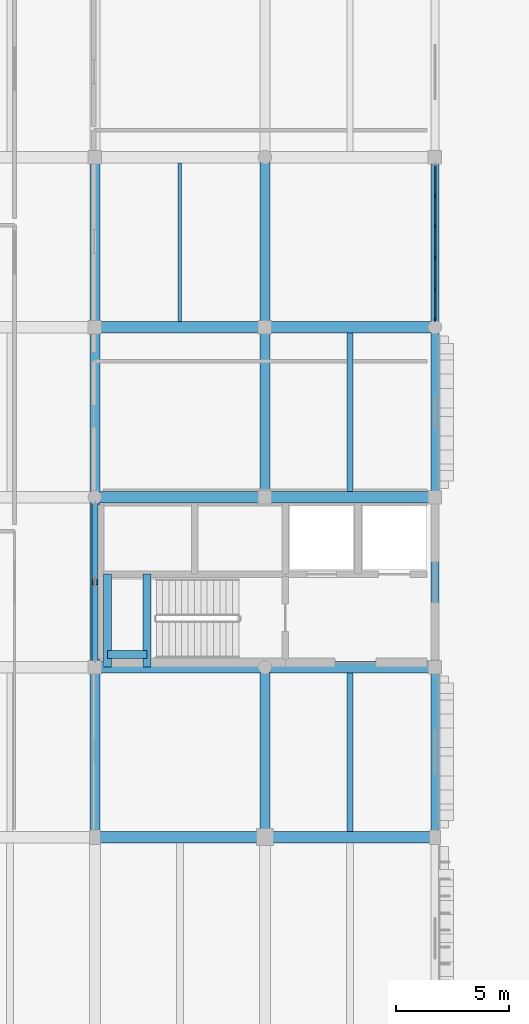
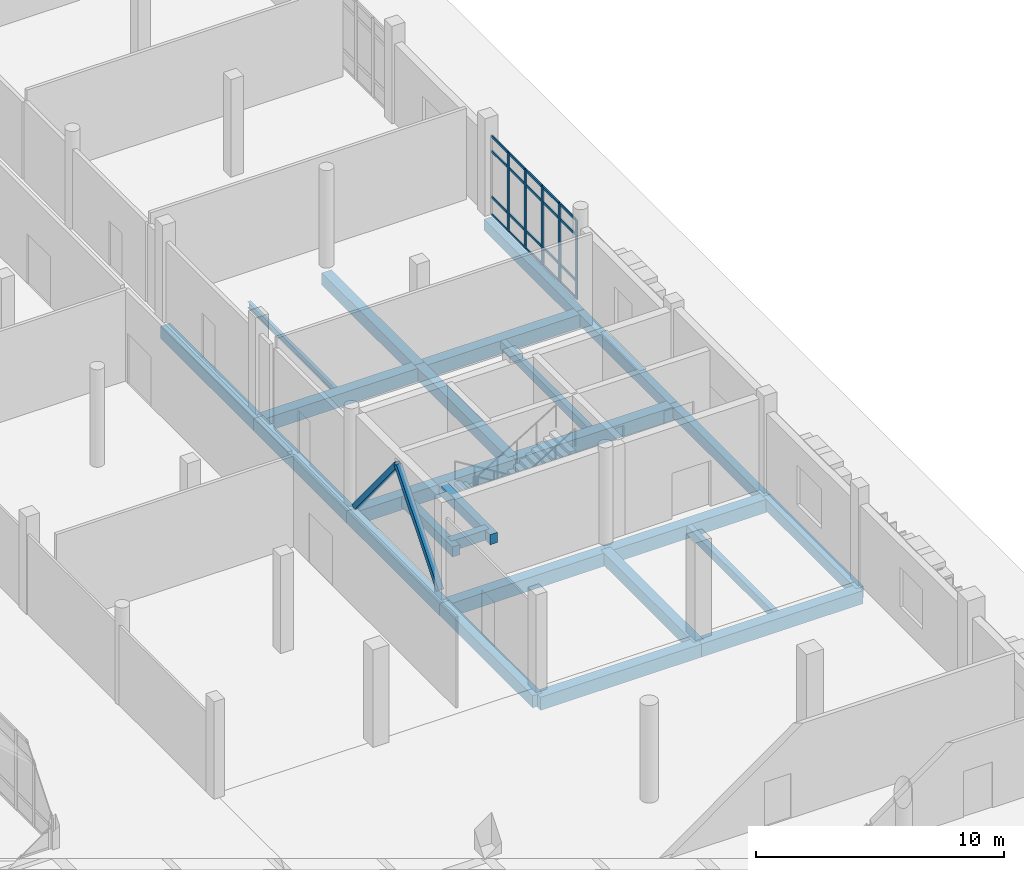
# One storey, part 60 of 125: 27 members, 25 beams, 1 element without a shape of its own.
"""IFC4 building model written with IfcOpenShell, lengths in metres."""

import ifcopenshell
import ifcopenshell.guid

model = None  # the IFC model being written
_history = None  # IfcOwnerHistory: only IFC2X3 demands one
_inside = {}  # id of a spatial element -> (the spatial element, [elements in it])
_under = {}  # id of a project, library or spatial element -> (it, [spatial elements below it])
_declared = {}  # id of a project -> (the project, [libraries it declares])
_typed = {}  # id of a type object -> (the type object, [elements of that type])
_made_of = {}  # id of a material, layer set ... -> (it, [elements and type objects made of it])


def new_model(schema):
    """Start an empty IFC model of exactly this schema.

    Asked for "IFC4X3", IfcOpenShell would pick the latest addendum, in which some entities
    have other attributes; the version numbers below select the first issue.
    IFC2X3 requires an IfcOwnerHistory on every rooted entity: one is made here for all.
    """
    global model, _history
    if schema == "IFC4X3":
        model = ifcopenshell.file(schema_version=(4, 3, 0, 0))
    else:
        model = ifcopenshell.file(schema=schema)
    _inside.clear()
    _under.clear()
    _declared.clear()
    _typed.clear()
    _made_of.clear()
    _history = None
    if model.schema == "IFC2X3":
        org = make("IfcOrganization", Name="unknown")
        user = make(
            "IfcPersonAndOrganization",
            ThePerson=make("IfcPerson", FamilyName="unknown"),
            TheOrganization=org,
        )
        app = make(
            "IfcApplication",
            ApplicationDeveloper=org,
            Version="unknown",
            ApplicationFullName="unknown",
            ApplicationIdentifier="unknown",
        )
        _history = make(
            "IfcOwnerHistory",
            OwningUser=user,
            OwningApplication=app,
            ChangeAction="ADDED",
            CreationDate=0,
        )
    return model


def make(cls, **values):
    """One entity of the class cls with the attributes given. An attribute that is None is left unset."""
    return model.create_entity(
        cls, **{name: value for name, value in values.items() if value is not None}
    )


def rooted(cls, **values):
    """An entity with a GlobalId (a new one), such as an element, a storey or a relation."""
    return make(cls, GlobalId=ifcopenshell.guid.new(), OwnerHistory=_history, **values)


def si_unit(unit_type, name, prefix=None):
    """IfcSIUnit, for example si_unit("LENGTHUNIT", "METRE", prefix="MILLI")."""
    return make("IfcSIUnit", UnitType=unit_type, Prefix=prefix, Name=name)


def assignment(units):
    """IfcUnitAssignment: the units of a project."""
    return None if units is None else make("IfcUnitAssignment", Units=units)


def point(xyz):
    """IfcCartesianPoint."""
    return None if xyz is None else make("IfcCartesianPoint", Coordinates=xyz)


def direction(xyz):
    """IfcDirection."""
    return None if xyz is None else make("IfcDirection", DirectionRatios=xyz)


def frame(location, z_axis=None, x_axis=None):
    """IfcAxis2Placement3D, a coordinate frame: its origin and axes. An axis left out is left unset."""
    return make(
        "IfcAxis2Placement3D",
        Location=point(location),
        Axis=direction(z_axis),
        RefDirection=direction(x_axis),
    )


def frame_2d(location, x_axis=None):
    """IfcAxis2Placement2D, a coordinate frame in the plane: its origin and x axis."""
    return make(
        "IfcAxis2Placement2D", Location=point(location), RefDirection=direction(x_axis)
    )


def origin():
    """The frame at (0, 0, 0) with its axes left unset."""
    return frame((0.0, 0.0, 0.0))


def origin_2d():
    """The frame at (0, 0) in the plane with its x axis left unset."""
    return frame_2d((0.0, 0.0))


def place(relative_to, where):
    """IfcLocalPlacement: puts the frame where relative to a parent placement (None: the world)."""
    return make(
        "IfcLocalPlacement", PlacementRelTo=relative_to, RelativePlacement=where
    )


def context(
    kind, dimensions, precision=None, world=None, true_north=None, identifier=None
):
    """IfcGeometricRepresentationContext, for example the 3D "Model" context."""
    return make(
        "IfcGeometricRepresentationContext",
        ContextIdentifier=identifier,
        ContextType=kind,
        CoordinateSpaceDimension=dimensions,
        Precision=precision,
        WorldCoordinateSystem=world,
        TrueNorth=true_north,
    )


def subcontext(parent, identifier, kind, view, scale=None):
    """IfcGeometricRepresentationSubContext, for example "Body" below "Model"."""
    return make(
        "IfcGeometricRepresentationSubContext",
        ContextIdentifier=identifier,
        ContextType=kind,
        ParentContext=parent,
        TargetScale=scale,
        TargetView=view,
    )


def project(units=None, contexts=None):
    """IfcProject with its units and contexts."""
    return rooted(
        "IfcProject",
        Name="project",
        RepresentationContexts=contexts,
        UnitsInContext=assignment(units),
    )


def spatial(cls, under=None, at=None, **own):
    """A site, building, storey or space (cls), placed at a placement, below another one or the project."""
    s = rooted(cls, ObjectPlacement=at, **own)
    if under is not None:
        _under.setdefault(under.id(), (under, []))[1].append(s)
    return s


def profile(cls, at=None, kind="AREA", **sizes):
    """A parametric profile (cls). Its sizes go by their IFC names, for example OverallWidth=200.0."""
    return make(cls, ProfileType=kind, Position=at, **sizes)


def rectangle(**sizes):
    """IfcRectangleProfileDef."""
    return profile("IfcRectangleProfileDef", **sizes)


def hollow_rectangle(**sizes):
    """IfcRectangleHollowProfileDef."""
    return profile("IfcRectangleHollowProfileDef", **sizes)


def i_section(**sizes):
    """IfcIShapeProfileDef."""
    return profile("IfcIShapeProfileDef", **sizes)


def extrude(swept, where, along, depth):
    """IfcExtrudedAreaSolid: the profile swept, set in the frame where, extruded along a direction by depth."""
    return make(
        "IfcExtrudedAreaSolid",
        SweptArea=swept,
        Position=where,
        ExtrudedDirection=direction(along),
        Depth=depth,
    )


def shape(context_of_items, identifier, shape_type, items):
    """IfcShapeRepresentation: the items that make up one representation, for example the "Body"."""
    return make(
        "IfcShapeRepresentation",
        ContextOfItems=context_of_items,
        RepresentationIdentifier=identifier,
        RepresentationType=shape_type,
        Items=items,
    )


def material(Name=None, Category=None):
    """IfcMaterial."""
    return make("IfcMaterial", Name=Name, Category=Category)


def layer(
    of_material, thickness, ventilated=None, Name=None, Category=None, Priority=None
):
    """IfcMaterialLayer: one layer of a wall or slab, of a material (None: an air gap)."""
    return make(
        "IfcMaterialLayer",
        Material=of_material,
        LayerThickness=thickness,
        IsVentilated=ventilated,
        Name=Name,
        Category=Category,
        Priority=Priority,
    )


def layer_set(layers, Name=None):
    """IfcMaterialLayerSet."""
    return make("IfcMaterialLayerSet", MaterialLayers=layers, LayerSetName=Name)


def material_profile(
    of_material, cross_section, Name=None, Category=None, Priority=None
):
    """IfcMaterialProfile: a cross section and its material."""
    return make(
        "IfcMaterialProfile",
        Name=Name,
        Material=of_material,
        Profile=cross_section,
        Priority=Priority,
        Category=Category,
    )


def profile_set(profiles, Name=None, composite=None):
    """IfcMaterialProfileSet."""
    return make(
        "IfcMaterialProfileSet",
        Name=Name,
        MaterialProfiles=profiles,
        CompositeProfile=composite,
    )


def made_of(thing, what):
    """Note that an element or type object is made of a material, layer set ...; save() writes the relation."""
    if what is not None:
        _made_of.setdefault(what.id(), (what, []))[1].append(thing)
    return thing


def type_object(cls, material=None, **own):
    """A type object (cls), such as IfcWallType, which elements share."""
    return made_of(rooted(cls, **own), material)


def element(
    cls,
    number,
    at=None,
    inside=None,
    cuts=None,
    type_object=None,
    material=None,
    context=None,
    identifier="Body",
    shape_type=None,
    held_by="IfcProductDefinitionShape",
    body=None,
    shapes=None,
    **own,
):
    """One element of the class cls, such as IfcWall. Its Tag is "e" and its number.

    at: its placement. inside: the storey or other place that contains it. cuts: it is an
    opening in that element (IfcRelVoidsElement). A single representation is given by context,
    identifier, shape_type and body (its items); several are given by shapes. held_by: the class
    of the entity that holds the representations. save() writes the other relations.
    """
    e = rooted(cls, Tag="e%d" % number, ObjectPlacement=at, **own)
    if body is not None:
        shapes = [shape(context, identifier, shape_type, body)]
    if shapes is not None:
        e.Representation = make(held_by, Representations=shapes)
    if inside is not None:
        _inside.setdefault(inside.id(), (inside, []))[1].append(e)
    if cuts is not None:
        rooted(
            "IfcRelVoidsElement", RelatingBuildingElement=cuts, RelatedOpeningElement=e
        )
    if type_object is not None:
        _typed.setdefault(type_object.id(), (type_object, []))[1].append(e)
    return made_of(e, material)


def aggregate(whole, parts):
    """IfcRelAggregates: a whole, such as a stair, and the parts it consists of."""
    return rooted("IfcRelAggregates", RelatingObject=whole, RelatedObjects=parts)


def save(model, path):
    """Write the relations noted so far, then the file.

    IfcRelAggregates (storeys below a building ...), IfcRelContainedInSpatialStructure (elements
    in a storey), IfcRelDefinesByType, IfcRelAssociatesMaterial and IfcRelDeclares: one each for
    every whole, place, type object, material and project.
    """
    for whole, parts in _under.values():
        aggregate(whole, parts)
    for where, things in _inside.values():
        rooted(
            "IfcRelContainedInSpatialStructure",
            RelatedElements=things,
            RelatingStructure=where,
        )
    for kind, things in _typed.values():
        rooted("IfcRelDefinesByType", RelatedObjects=things, RelatingType=kind)
    for what, things in _made_of.values():
        rooted("IfcRelAssociatesMaterial", RelatedObjects=things, RelatingMaterial=what)
    for by, libraries in _declared.values():
        rooted("IfcRelDeclares", RelatingContext=by, RelatedDefinitions=libraries)
    model.write(path)


model = new_model("IFC4")

# Units and contexts
model_context = context("Model", 3, precision=1e-05, world=origin(), true_north=direction((0.0, 1.0)))
body_context = subcontext(model_context, "Body", "Model", "MODEL_VIEW")
ifc_project = project(units=[si_unit("LENGTHUNIT", "METRE"), si_unit("AREAUNIT", "SQUARE_METRE"), si_unit("VOLUMEUNIT", "CUBIC_METRE"), si_unit("PLANEANGLEUNIT", "RADIAN"), si_unit("MASSUNIT", "GRAM", prefix="KILO")], contexts=[model_context])

# Site, building, storey
site_placement = place(None, origin())
site = spatial("IfcSite", under=ifc_project, at=site_placement, CompositionType="ELEMENT")
building_placement = place(site_placement, origin())
building = spatial("IfcBuilding", under=site, at=building_placement, Name="Dalvernix Boulevard General Hospital", CompositionType="ELEMENT")
storey_placement = place(building_placement, origin())
storey = spatial("IfcBuildingStorey", under=building, at=storey_placement, Name="L00", CompositionType="ELEMENT", Elevation=0.0)

# Beams
ifc_material_1 = material(Name="Concrete C35/45", Category="concrete")
ifc_material_profile_1 = material_profile(ifc_material_1, rectangle(XDim=0.5, YDim=0.64990234375, at=origin_2d()), Name="RCB 500x650")
ifc_profile_set_1 = profile_set([ifc_material_profile_1], Name="Concrete C35/45")
beam_type_1 = type_object("IfcBeamType", Name="BM-B-02-I", PredefinedType="BEAM", material=ifc_profile_set_1)
for number, where, z_axis, x_axis, name in (
    (1, (157.5, 31.5, -0.68505859375), (1.0, 0.0, 0.0), (0.0, 1.0, 0.0), "L00 E-W girder E:22-23"),
    (2, (165.0, 31.5, -0.68505859375), (1.0, 0.0, 0.0), (0.0, 1.0, 0.0), "L00 E-W girder E:23-24"),
    (3, (157.5, 39.0, -0.68505859375), (1.0, 0.0, 0.0), (0.0, 1.0, 0.0), "L00 E-W girder F:22-23"),
    (4, (165.0, 39.0, -0.68505859375), (1.0, 0.0, 0.0), (0.0, 1.0, 0.0), "L00 E-W girder F:23-24"),
    (5, (157.5, 46.5, -0.68505859375), (1.0, 0.0, 0.0), (0.0, 1.0, 0.0), "L00 E-W girder G:22-23"),
    (6, (165.0, 46.5, -0.68505859375), (1.0, 0.0, 0.0), (0.0, 1.0, 0.0), "L00 E-W girder G:23-24"),
    (7, (157.5, 54.0, -0.68505859375), (1.0, 0.0, 0.0), (0.0, 1.0, 0.0), "L00 E-W girder H:22-23"),
    (8, (165.0, 54.0, -0.68505859375), (1.0, 0.0, 0.0), (0.0, 1.0, 0.0), "L00 E-W girder H:23-24"),
):
    element("IfcBeam", number, at=place(storey_placement, frame(where, z_axis=z_axis, x_axis=x_axis)), inside=storey, type_object=beam_type_1, Name=name, PredefinedType="BEAM", context=body_context, shape_type="SweptSolid", body=[
        extrude(rectangle(XDim=0.5, YDim=0.64990234375, at=origin_2d()), origin(), (0.0, 0.0, 1.0), 7.5),
    ])
ifc_material_profile_2 = material_profile(ifc_material_1, rectangle(XDim=0.449951171875, YDim=0.60009765625, at=origin_2d()), Name="RCB 450x600")
ifc_profile_set_2 = profile_set([ifc_material_profile_2], Name="Concrete C35/45")
beam_type_2 = type_object("IfcBeamType", Name="BM-B-04-I", PredefinedType="BEAM", material=ifc_profile_set_2)
for number, where, z_axis, x_axis, name in (
    (9, (157.5, 31.5, -0.659912109375), (0.0, 1.0, 0.0), (-1.0, 0.0, 0.0), "L00 N-S girder 22:E-F"),
    (10, (157.5, 39.0, -0.659912109375), (0.0, 1.0, 0.0), (-1.0, 0.0, 0.0), "L00 N-S girder 22:F-G"),
    (11, (157.5, 46.5, -0.659912109375), (0.0, 1.0, 0.0), (-1.0, 0.0, 0.0), "L00 N-S girder 22:G-H"),
    (12, (157.5, 54.0, -0.659912109375), (0.0, 1.0, 0.0), (-1.0, 0.0, 0.0), "L00 N-S girder 22:H-J"),
    (13, (165.0, 31.5, -0.659912109375), (0.0, 1.0, 0.0), (-1.0, 0.0, 0.0), "L00 N-S girder 23:E-F"),
    (14, (165.0, 46.5, -0.659912109375), (0.0, 1.0, 0.0), (-1.0, 0.0, 0.0), "L00 N-S girder 23:G-H"),
    (15, (165.0, 54.0, -0.659912109375), (0.0, 1.0, 0.0), (-1.0, 0.0, 0.0), "L00 N-S girder 23:H-J"),
):
    element("IfcBeam", number, at=place(storey_placement, frame(where, z_axis=z_axis, x_axis=x_axis)), inside=storey, type_object=beam_type_2, Name=name, PredefinedType="BEAM", context=body_context, shape_type="SweptSolid", body=[
        extrude(rectangle(XDim=0.449951171875, YDim=0.60009765625, at=origin_2d()), origin(), (0.0, 0.0, 1.0), 7.5),
    ])
ifc_material_profile_3 = material_profile(ifc_material_1, rectangle(XDim=0.35009765625, YDim=0.5, at=origin_2d()), Name="RCB 350x500")
ifc_profile_set_3 = profile_set([ifc_material_profile_3], Name="Concrete C35/45")
beam_type_3 = type_object("IfcBeamType", Name="BM-B-08", PredefinedType="BEAM", material=ifc_profile_set_3)
for number, where, z_axis, x_axis, name in (
    (16, (158.050048828125, 39.0, 1.949951171875), (0.0, 1.0, 0.0), (-1.0, 0.0, 0.0), "L00 C6 stair half-landing beam 1"),
    (17, (159.800048828125, 39.0, 1.949951171875), (0.0, 1.0, 0.0), (-1.0, 0.0, 0.0), "L00 C6 stair half-landing beam 2"),
):
    element("IfcBeam", number, at=place(storey_placement, frame(where, z_axis=z_axis, x_axis=x_axis)), inside=storey, type_object=beam_type_3, Name=name, PredefinedType="BEAM", context=body_context, shape_type="SweptSolid", body=[
        extrude(rectangle(XDim=0.35009765625, YDim=0.5, at=origin_2d()), origin(), (0.0, 0.0, 1.0), 4.10009765625),
    ])
beam_1_placement = place(storey_placement, frame((158.050048828125, 39.550048828125, 1.949951171875), z_axis=(1.0, 0.0, 0.0), x_axis=(0.0, 1.0, 0.0)))
element("IfcBeam", 18, at=beam_1_placement, inside=storey, type_object=beam_type_3, Name="L00 C6 stair half-landing tie beam", PredefinedType="BEAM", context=body_context, shape_type="SweptSolid", body=[
    extrude(rectangle(XDim=0.35009765625, YDim=0.5, at=origin_2d()), origin(), (0.0, 0.0, 1.0), 1.75),
])
ifc_material_profile_4 = material_profile(ifc_material_1, rectangle(XDim=0.25, YDim=0.39990234375, at=origin_2d()), Name="RCB 250x400")
ifc_profile_set_4 = profile_set([ifc_material_profile_4], Name="Concrete C35/45")
beam_type_4 = type_object("IfcBeamType", Name="BM-JB-02", PredefinedType="JOIST", material=ifc_profile_set_4)
for number, where, z_axis, x_axis, name in (
    (19, (168.75, 31.75, -0.56005859375), (0.0, 1.0, 0.0), (-1.0, 0.0, 0.0), "L00 secondary floor beam 23-E"),
    (20, (168.75, 46.75, -0.56005859375), (0.0, 1.0, 0.0), (-1.0, 0.0, 0.0), "L00 secondary floor beam 23-G"),
):
    element("IfcBeam", number, at=place(storey_placement, frame(where, z_axis=z_axis, x_axis=x_axis)), inside=storey, type_object=beam_type_4, Name=name, PredefinedType="JOIST", context=body_context, shape_type="SweptSolid", body=[
        extrude(rectangle(XDim=0.25, YDim=0.39990234375, at=origin_2d()), origin(), (0.0, 0.0, 1.0), 7.0),
    ])
ifc_material_2 = material(Name="Steel S355", Category="steel")
ifc_material_profile_5 = material_profile(ifc_material_2, i_section(OverallWidth=0.14990234375, OverallDepth=0.300048828125, WebThickness=0.007080078125, FlangeThickness=0.0107421875, FilletRadius=0.014892578125, at=origin_2d()), Name="IPE 300")
ifc_profile_set_5 = profile_set([ifc_material_profile_5], Name="Steel S355")
beam_type_5 = type_object("IfcBeamType", Name="BM-JB-03", PredefinedType="JOIST", material=ifc_profile_set_5)
beam_2_placement = place(storey_placement, frame((161.25, 54.25, -0.510009765625), z_axis=(0.0, 1.0, 0.0), x_axis=(-1.0, 0.0, 0.0)))
element("IfcBeam", 21, at=beam_2_placement, inside=storey, type_object=beam_type_5, Name="L00 secondary floor beam 22-H", PredefinedType="JOIST", context=body_context, shape_type="SweptSolid", body=[
    extrude(i_section(OverallWidth=0.14990234375, OverallDepth=0.300048828125, WebThickness=0.007080078125, FlangeThickness=0.0107421875, FilletRadius=0.014892578125, at=origin_2d()), origin(), (0.0, 0.0, 1.0), 7.0),
])
ifc_material_profile_6 = material_profile(ifc_material_1, rectangle(XDim=0.35009765625, YDim=0.550048828125, at=origin_2d()), Name="RCB 350x550")
ifc_profile_set_6 = profile_set([ifc_material_profile_6], Name="Concrete C35/45")
beam_type_6 = type_object("IfcBeamType", Name="BM-SB-01-E", PredefinedType="SPANDREL", material=ifc_profile_set_6)
for number, where, z_axis, x_axis, name in (
    (22, (172.5, 31.5, -0.635009765625), (0.0, 1.0, 0.0), (-1.0, 0.0, 0.0), "L00 N-S girder 24:E-F"),
    (23, (172.5, 39.0, -0.635009765625), (0.0, 1.0, 0.0), (-1.0, 0.0, 0.0), "L00 N-S girder 24:F-G"),
    (24, (172.5, 46.5, -0.635009765625), (0.0, 1.0, 0.0), (-1.0, 0.0, 0.0), "L00 N-S girder 24:G-H"),
    (25, (172.5, 54.0, -0.635009765625), (0.0, 1.0, 0.0), (-1.0, 0.0, 0.0), "L00 N-S girder 24:H-J"),
):
    element("IfcBeam", number, at=place(storey_placement, frame(where, z_axis=z_axis, x_axis=x_axis)), inside=storey, type_object=beam_type_6, Name=name, PredefinedType="SPANDREL", context=body_context, shape_type="SweptSolid", body=[
        extrude(rectangle(XDim=0.35009765625, YDim=0.550048828125, at=origin_2d()), origin(), (0.0, 0.0, 1.0), 7.5),
    ])

# Members
ifc_material_profile_7 = material_profile(ifc_material_2, hollow_rectangle(XDim=0.25, YDim=0.25, WallThickness=0.012451171875, at=origin_2d()), Name="SHS 250x250x12.5")
ifc_profile_set_7 = profile_set([ifc_material_profile_7], Name="Steel S355")
member_type_1 = type_object("IfcMemberType", Name="MEM-BR-03", PredefinedType="BRACE", material=ifc_profile_set_7)
for number, where, z_axis, x_axis, name in (
    (26, (157.5, 39.35009765625, 0.0), (0.0, 0.63374319852, 0.773543507716), (-1.0, 0.0, 0.0), "L00 braced frame chevron 3A"),
    (27, (157.5, 46.14990234375, 0.0), (0.0, -0.63374319852, 0.773543507716), (1.0, 0.0, 0.0), "L00 braced frame chevron 3B"),
):
    element("IfcMember", number, at=place(storey_placement, frame(where, z_axis=z_axis, x_axis=x_axis)), inside=storey, type_object=member_type_1, Name=name, PredefinedType="BRACE", context=body_context, shape_type="SweptSolid", body=[
        extrude(hollow_rectangle(XDim=0.25, YDim=0.25, WallThickness=0.012451171875, at=origin_2d()), origin(), (0.0, 0.0, 1.0), 5.36474609375),
    ])

# Curtain wall, members
ifc_material_3 = material(Name="Thermally broken aluminium and solar-control glass curtain wall", Category="aluminium")
ifc_layer = layer(ifc_material_3, 0.159912109375)
ifc_layer_set = layer_set([ifc_layer], Name="Thermally broken aluminium and solar-control glass curtain wall (CW-CW-A-69x39)")
curtain_wall_type = type_object("IfcCurtainWallType", Name="CW-CW-A-69x39", PredefinedType="USERDEFINED", material=ifc_layer_set)
curtain_wall_placement = place(storey_placement, origin())
curtain_wall = element("IfcCurtainWall", 28, at=curtain_wall_placement, inside=storey, type_object=curtain_wall_type, Name="L00 curtain wall CW-A-69x39 23-7", ObjectType="GLAZED FACADE", PredefinedType="USERDEFINED")
ifc_material_4 = material(Name="Aluminium EN AW-6060", Category="aluminium")
ifc_material_profile_8 = material_profile(ifc_material_4, rectangle(XDim=0.06005859375, YDim=0.159912109375, at=origin_2d()), Name="ALU MULL 60x160")
ifc_profile_set_8 = profile_set([ifc_material_profile_8], Name="Aluminium EN AW-6060")
member_type_2 = type_object("IfcMemberType", Name="MEM-CW-M1", PredefinedType="MULLION", material=ifc_profile_set_8)
member_1_placement = place(storey_placement, frame((172.5, 59.81396484375, 0.0), z_axis=(0.0, 0.0, 1.0), x_axis=(1.0, 0.0, 0.0)))
member_1 = element("IfcMember", 29, at=member_1_placement, type_object=member_type_2, Name="CW-A-69x39 mullion 2", PredefinedType="MULLION", context=body_context, shape_type="SweptSolid", body=[
    extrude(rectangle(XDim=0.06005859375, YDim=0.159912109375, at=origin_2d()), origin(), (0.0, 0.0, 1.0), 3.89990234375),
])
member_2_placement = place(storey_placement, frame((172.5, 58.43798828125, 0.0), z_axis=(0.0, 0.0, 1.0), x_axis=(1.0, 0.0, 0.0)))
member_2 = element("IfcMember", 30, at=member_2_placement, type_object=member_type_2, Name="CW-A-69x39 mullion 3", PredefinedType="MULLION", context=body_context, shape_type="SweptSolid", body=[
    extrude(rectangle(XDim=0.06005859375, YDim=0.159912109375, at=origin_2d()), origin(), (0.0, 0.0, 1.0), 3.89990234375),
])
member_3_placement = place(storey_placement, frame((172.5, 57.06201171875, 0.0), z_axis=(0.0, 0.0, 1.0), x_axis=(1.0, 0.0, 0.0)))
member_3 = element("IfcMember", 31, at=member_3_placement, type_object=member_type_2, Name="CW-A-69x39 mullion 4", PredefinedType="MULLION", context=body_context, shape_type="SweptSolid", body=[
    extrude(rectangle(XDim=0.06005859375, YDim=0.159912109375, at=origin_2d()), origin(), (0.0, 0.0, 1.0), 3.89990234375),
])
member_4_placement = place(storey_placement, frame((172.5, 55.68603515625, 0.0), z_axis=(0.0, 0.0, 1.0), x_axis=(1.0, 0.0, 0.0)))
member_4 = element("IfcMember", 32, at=member_4_placement, type_object=member_type_2, Name="CW-A-69x39 mullion 5", PredefinedType="MULLION", context=body_context, shape_type="SweptSolid", body=[
    extrude(rectangle(XDim=0.06005859375, YDim=0.159912109375, at=origin_2d()), origin(), (0.0, 0.0, 1.0), 3.89990234375),
])
member_5_placement = place(storey_placement, frame((172.5, 54.340087890625, 0.0), z_axis=(0.0, 0.0, 1.0), x_axis=(1.0, 0.0, 0.0)))
member_5 = element("IfcMember", 33, at=member_5_placement, type_object=member_type_2, Name="CW-A-69x39 mullion 6", PredefinedType="MULLION", context=body_context, shape_type="SweptSolid", body=[
    extrude(rectangle(XDim=0.06005859375, YDim=0.159912109375, at=origin_2d()), origin(), (0.0, 0.0, 1.0), 3.89990234375),
])
ifc_material_profile_9 = material_profile(ifc_material_4, rectangle(XDim=0.06005859375, YDim=0.1201171875, at=origin_2d()), Name="ALU TRAN 60x120")
ifc_profile_set_9 = profile_set([ifc_material_profile_9], Name="Aluminium EN AW-6060")
member_type_3 = type_object("IfcMemberType", Name="MEM-CW-T1", PredefinedType="USERDEFINED", material=ifc_profile_set_9)
member_6_placement = place(storey_placement, frame((172.5, 61.1298828125, 0.030029296875), z_axis=(0.0, -1.0, 0.0), x_axis=(1.0, 0.0, 0.0)))
member_6 = element("IfcMember", 34, at=member_6_placement, type_object=member_type_3, Name="CW-A-69x39 transom 1.1", ObjectType="TRANSOM", PredefinedType="USERDEFINED", context=body_context, shape_type="SweptSolid", body=[
    extrude(rectangle(XDim=0.06005859375, YDim=0.1201171875, at=origin_2d()), origin(), (0.0, 0.0, 1.0), 1.285888671875),
])
member_7_placement = place(storey_placement, frame((172.5, 61.1298828125, 0.89990234375), z_axis=(0.0, -1.0, 0.0), x_axis=(1.0, 0.0, 0.0)))
member_7 = element("IfcMember", 35, at=member_7_placement, type_object=member_type_3, Name="CW-A-69x39 transom 1.2", ObjectType="TRANSOM", PredefinedType="USERDEFINED", context=body_context, shape_type="SweptSolid", body=[
    extrude(rectangle(XDim=0.06005859375, YDim=0.1201171875, at=origin_2d()), origin(), (0.0, 0.0, 1.0), 1.285888671875),
])
member_8_placement = place(storey_placement, frame((172.5, 61.1298828125, 3.14990234375), z_axis=(0.0, -1.0, 0.0), x_axis=(1.0, 0.0, 0.0)))
member_8 = element("IfcMember", 36, at=member_8_placement, type_object=member_type_3, Name="CW-A-69x39 transom 1.3", ObjectType="TRANSOM", PredefinedType="USERDEFINED", context=body_context, shape_type="SweptSolid", body=[
    extrude(rectangle(XDim=0.06005859375, YDim=0.1201171875, at=origin_2d()), origin(), (0.0, 0.0, 1.0), 1.285888671875),
])
member_9_placement = place(storey_placement, frame((172.5, 61.1298828125, 3.8701171875), z_axis=(0.0, -1.0, 0.0), x_axis=(1.0, 0.0, 0.0)))
member_9 = element("IfcMember", 37, at=member_9_placement, type_object=member_type_3, Name="CW-A-69x39 transom 1.4", ObjectType="TRANSOM", PredefinedType="USERDEFINED", context=body_context, shape_type="SweptSolid", body=[
    extrude(rectangle(XDim=0.06005859375, YDim=0.1201171875, at=origin_2d()), origin(), (0.0, 0.0, 1.0), 1.285888671875),
])
member_10_placement = place(storey_placement, frame((172.5, 59.783935546875, 0.030029296875), z_axis=(0.0, -1.0, 0.0), x_axis=(1.0, 0.0, 0.0)))
member_10 = element("IfcMember", 38, at=member_10_placement, type_object=member_type_3, Name="CW-A-69x39 transom 2.1", ObjectType="TRANSOM", PredefinedType="USERDEFINED", context=body_context, shape_type="SweptSolid", body=[
    extrude(rectangle(XDim=0.06005859375, YDim=0.1201171875, at=origin_2d()), origin(), (0.0, 0.0, 1.0), 1.31591796875),
])
member_11_placement = place(storey_placement, frame((172.5, 59.783935546875, 0.89990234375), z_axis=(0.0, -1.0, 0.0), x_axis=(1.0, 0.0, 0.0)))
member_11 = element("IfcMember", 39, at=member_11_placement, type_object=member_type_3, Name="CW-A-69x39 transom 2.2", ObjectType="TRANSOM", PredefinedType="USERDEFINED", context=body_context, shape_type="SweptSolid", body=[
    extrude(rectangle(XDim=0.06005859375, YDim=0.1201171875, at=origin_2d()), origin(), (0.0, 0.0, 1.0), 1.31591796875),
])
member_12_placement = place(storey_placement, frame((172.5, 59.783935546875, 3.14990234375), z_axis=(0.0, -1.0, 0.0), x_axis=(1.0, 0.0, 0.0)))
member_12 = element("IfcMember", 40, at=member_12_placement, type_object=member_type_3, Name="CW-A-69x39 transom 2.3", ObjectType="TRANSOM", PredefinedType="USERDEFINED", context=body_context, shape_type="SweptSolid", body=[
    extrude(rectangle(XDim=0.06005859375, YDim=0.1201171875, at=origin_2d()), origin(), (0.0, 0.0, 1.0), 1.31591796875),
])
member_13_placement = place(storey_placement, frame((172.5, 59.783935546875, 3.8701171875), z_axis=(0.0, -1.0, 0.0), x_axis=(1.0, 0.0, 0.0)))
member_13 = element("IfcMember", 41, at=member_13_placement, type_object=member_type_3, Name="CW-A-69x39 transom 2.4", ObjectType="TRANSOM", PredefinedType="USERDEFINED", context=body_context, shape_type="SweptSolid", body=[
    extrude(rectangle(XDim=0.06005859375, YDim=0.1201171875, at=origin_2d()), origin(), (0.0, 0.0, 1.0), 1.31591796875),
])
member_14_placement = place(storey_placement, frame((172.5, 58.407958984375, 0.030029296875), z_axis=(0.0, -1.0, 0.0), x_axis=(1.0, 0.0, 0.0)))
member_14 = element("IfcMember", 42, at=member_14_placement, type_object=member_type_3, Name="CW-A-69x39 transom 3.1", ObjectType="TRANSOM", PredefinedType="USERDEFINED", context=body_context, shape_type="SweptSolid", body=[
    extrude(rectangle(XDim=0.06005859375, YDim=0.1201171875, at=origin_2d()), origin(), (0.0, 0.0, 1.0), 1.31591796875),
])
member_15_placement = place(storey_placement, frame((172.5, 58.407958984375, 0.89990234375), z_axis=(0.0, -1.0, 0.0), x_axis=(1.0, 0.0, 0.0)))
member_15 = element("IfcMember", 43, at=member_15_placement, type_object=member_type_3, Name="CW-A-69x39 transom 3.2", ObjectType="TRANSOM", PredefinedType="USERDEFINED", context=body_context, shape_type="SweptSolid", body=[
    extrude(rectangle(XDim=0.06005859375, YDim=0.1201171875, at=origin_2d()), origin(), (0.0, 0.0, 1.0), 1.31591796875),
])
member_16_placement = place(storey_placement, frame((172.5, 58.407958984375, 3.14990234375), z_axis=(0.0, -1.0, 0.0), x_axis=(1.0, 0.0, 0.0)))
member_16 = element("IfcMember", 44, at=member_16_placement, type_object=member_type_3, Name="CW-A-69x39 transom 3.3", ObjectType="TRANSOM", PredefinedType="USERDEFINED", context=body_context, shape_type="SweptSolid", body=[
    extrude(rectangle(XDim=0.06005859375, YDim=0.1201171875, at=origin_2d()), origin(), (0.0, 0.0, 1.0), 1.31591796875),
])
member_17_placement = place(storey_placement, frame((172.5, 58.407958984375, 3.8701171875), z_axis=(0.0, -1.0, 0.0), x_axis=(1.0, 0.0, 0.0)))
member_17 = element("IfcMember", 45, at=member_17_placement, type_object=member_type_3, Name="CW-A-69x39 transom 3.4", ObjectType="TRANSOM", PredefinedType="USERDEFINED", context=body_context, shape_type="SweptSolid", body=[
    extrude(rectangle(XDim=0.06005859375, YDim=0.1201171875, at=origin_2d()), origin(), (0.0, 0.0, 1.0), 1.31591796875),
])
member_18_placement = place(storey_placement, frame((172.5, 57.031982421875, 0.030029296875), z_axis=(0.0, -1.0, 0.0), x_axis=(1.0, 0.0, 0.0)))
member_18 = element("IfcMember", 46, at=member_18_placement, type_object=member_type_3, Name="CW-A-69x39 transom 4.1", ObjectType="TRANSOM", PredefinedType="USERDEFINED", context=body_context, shape_type="SweptSolid", body=[
    extrude(rectangle(XDim=0.06005859375, YDim=0.1201171875, at=origin_2d()), origin(), (0.0, 0.0, 1.0), 1.31591796875),
])
member_19_placement = place(storey_placement, frame((172.5, 57.031982421875, 0.89990234375), z_axis=(0.0, -1.0, 0.0), x_axis=(1.0, 0.0, 0.0)))
member_19 = element("IfcMember", 47, at=member_19_placement, type_object=member_type_3, Name="CW-A-69x39 transom 4.2", ObjectType="TRANSOM", PredefinedType="USERDEFINED", context=body_context, shape_type="SweptSolid", body=[
    extrude(rectangle(XDim=0.06005859375, YDim=0.1201171875, at=origin_2d()), origin(), (0.0, 0.0, 1.0), 1.31591796875),
])
member_20_placement = place(storey_placement, frame((172.5, 57.031982421875, 3.14990234375), z_axis=(0.0, -1.0, 0.0), x_axis=(1.0, 0.0, 0.0)))
member_20 = element("IfcMember", 48, at=member_20_placement, type_object=member_type_3, Name="CW-A-69x39 transom 4.3", ObjectType="TRANSOM", PredefinedType="USERDEFINED", context=body_context, shape_type="SweptSolid", body=[
    extrude(rectangle(XDim=0.06005859375, YDim=0.1201171875, at=origin_2d()), origin(), (0.0, 0.0, 1.0), 1.31591796875),
])
member_21_placement = place(storey_placement, frame((172.5, 57.031982421875, 3.8701171875), z_axis=(0.0, -1.0, 0.0), x_axis=(1.0, 0.0, 0.0)))
member_21 = element("IfcMember", 49, at=member_21_placement, type_object=member_type_3, Name="CW-A-69x39 transom 4.4", ObjectType="TRANSOM", PredefinedType="USERDEFINED", context=body_context, shape_type="SweptSolid", body=[
    extrude(rectangle(XDim=0.06005859375, YDim=0.1201171875, at=origin_2d()), origin(), (0.0, 0.0, 1.0), 1.31591796875),
])
member_22_placement = place(storey_placement, frame((172.5, 55.656005859375, 0.030029296875), z_axis=(0.0, -1.0, 0.0), x_axis=(1.0, 0.0, 0.0)))
member_22 = element("IfcMember", 50, at=member_22_placement, type_object=member_type_3, Name="CW-A-69x39 transom 5.1", ObjectType="TRANSOM", PredefinedType="USERDEFINED", context=body_context, shape_type="SweptSolid", body=[
    extrude(rectangle(XDim=0.06005859375, YDim=0.1201171875, at=origin_2d()), origin(), (0.0, 0.0, 1.0), 1.285888671875),
])
member_23_placement = place(storey_placement, frame((172.5, 55.656005859375, 0.89990234375), z_axis=(0.0, -1.0, 0.0), x_axis=(1.0, 0.0, 0.0)))
member_23 = element("IfcMember", 51, at=member_23_placement, type_object=member_type_3, Name="CW-A-69x39 transom 5.2", ObjectType="TRANSOM", PredefinedType="USERDEFINED", context=body_context, shape_type="SweptSolid", body=[
    extrude(rectangle(XDim=0.06005859375, YDim=0.1201171875, at=origin_2d()), origin(), (0.0, 0.0, 1.0), 1.285888671875),
])
member_24_placement = place(storey_placement, frame((172.5, 55.656005859375, 3.14990234375), z_axis=(0.0, -1.0, 0.0), x_axis=(1.0, 0.0, 0.0)))
member_24 = element("IfcMember", 52, at=member_24_placement, type_object=member_type_3, Name="CW-A-69x39 transom 5.3", ObjectType="TRANSOM", PredefinedType="USERDEFINED", context=body_context, shape_type="SweptSolid", body=[
    extrude(rectangle(XDim=0.06005859375, YDim=0.1201171875, at=origin_2d()), origin(), (0.0, 0.0, 1.0), 1.285888671875),
])
member_25_placement = place(storey_placement, frame((172.5, 55.656005859375, 3.8701171875), z_axis=(0.0, -1.0, 0.0), x_axis=(1.0, 0.0, 0.0)))
member_25 = element("IfcMember", 53, at=member_25_placement, type_object=member_type_3, Name="CW-A-69x39 transom 5.4", ObjectType="TRANSOM", PredefinedType="USERDEFINED", context=body_context, shape_type="SweptSolid", body=[
    extrude(rectangle(XDim=0.06005859375, YDim=0.1201171875, at=origin_2d()), origin(), (0.0, 0.0, 1.0), 1.285888671875),
])
aggregate(curtain_wall, [member_1, member_2, member_3, member_4, member_5, member_6, member_7, member_8, member_9, member_10, member_11, member_12, member_13, member_14, member_15, member_16, member_17, member_18, member_19, member_20, member_21, member_22, member_23, member_24, member_25])

save(model, "model.ifc")
